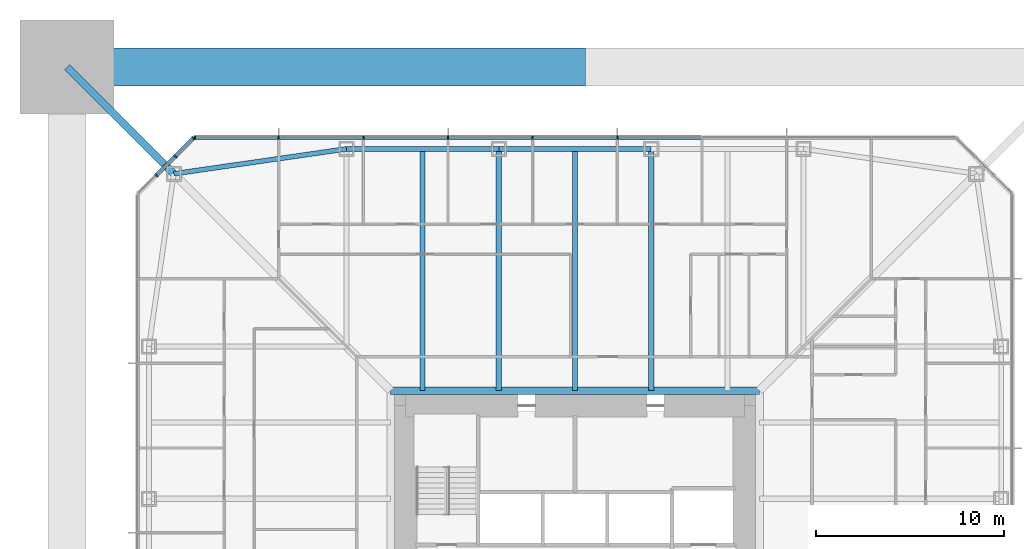
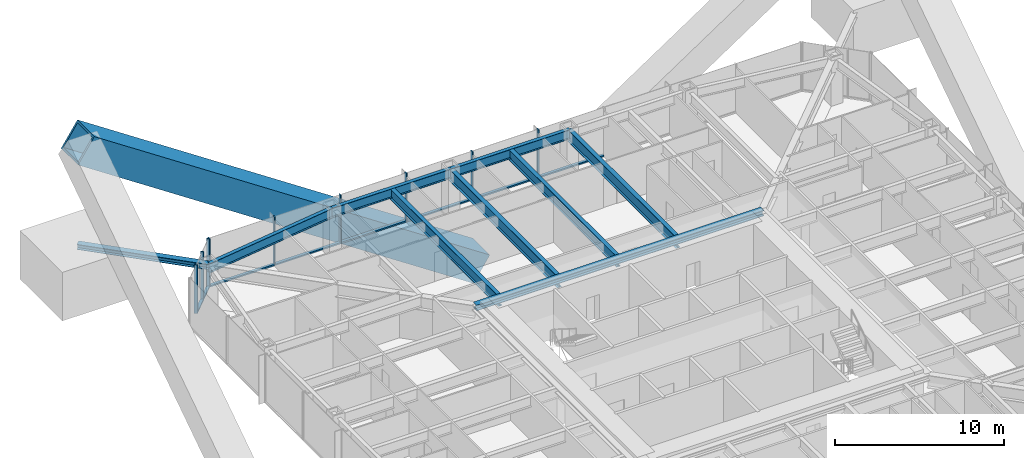
# One storey, part 7 of 27: 19 members, 8 beams, 2 elements without a shape of their own.
"""IFC4 building model written with IfcOpenShell, lengths in metres."""

from ifc_helpers import new_model, si_unit, direction, frame, origin, origin_2d, place, context, subcontext, project, spatial, rectangle, hollow_rectangle, i_section, extrude, material, material_profile, profile_set, type_object, element, aggregate, save


model = new_model("IFC4")

# Units and contexts
model_context = context("Model", 3, precision=1e-05, world=origin(), true_north=direction((0.0, 1.0)))
body_context = subcontext(model_context, "Body", "Model", "MODEL_VIEW")
ifc_project = project(units=[si_unit("LENGTHUNIT", "METRE"), si_unit("AREAUNIT", "SQUARE_METRE"), si_unit("VOLUMEUNIT", "CUBIC_METRE"), si_unit("PLANEANGLEUNIT", "RADIAN"), si_unit("MASSUNIT", "GRAM", prefix="KILO")], contexts=[model_context])

# Site, building, storey
site_placement = place(None, origin())
site = spatial("IfcSite", under=ifc_project, at=site_placement, CompositionType="ELEMENT")
building_placement = place(site_placement, origin())
building = spatial("IfcBuilding", under=site, at=building_placement, Name="Iwan Alto Co-Living Towers", CompositionType="ELEMENT")
storey_placement = place(building_placement, frame((0.0, 0.0, 25.5)))
storey = spatial("IfcBuildingStorey", under=building, at=storey_placement, Name="L06", CompositionType="ELEMENT", Elevation=25.5)

# Curtain wall, members
ifc_material_1 = material(Name="Bronze aluminium unitised frame", Category="aluminium")
curtain_wall_type_1 = type_object("IfcCurtainWallType", Name="CURTAIN WALL CW-A", PredefinedType="NOTDEFINED", material=ifc_material_1)
curtain_wall_1_placement = place(storey_placement, origin())
curtain_wall_1 = element("IfcCurtainWall", 1, at=curtain_wall_1_placement, inside=storey, type_object=curtain_wall_type_1, Name="T1 curtain wall N L06", PredefinedType="NOTDEFINED")
ifc_material_2 = material(Name="Aluminium 6063-T6 bronze anodised", Category="aluminium")
ifc_material_profile_1 = material_profile(ifc_material_2, rectangle(XDim=0.199951171875, YDim=0.080078125, at=origin_2d()), Name="AL 80X200")
ifc_profile_set_1 = profile_set([ifc_material_profile_1], Name="Aluminium 6063-T6 bronze anodised")
member_type_1 = type_object("IfcMemberType", Name="CW-A MULLION 80X200", PredefinedType="MULLION", material=ifc_profile_set_1)
member_1_placement = place(storey_placement, frame((2.25, 23.25, 0.0), z_axis=(0.0, 0.0, 1.0), x_axis=(0.0, -1.0, 0.0)))
member_1 = element("IfcMember", 2, at=member_1_placement, type_object=member_type_1, Name="CW-A mullion 5", PredefinedType="MULLION", context=body_context, shape_type="SweptSolid", body=[
    extrude(rectangle(XDim=0.199951171875, YDim=0.080078125, at=origin_2d()), origin(), (0.0, 0.0, 1.0), 3.5),
])
member_2_placement = place(storey_placement, frame((-2.25, 23.25, 0.0), z_axis=(0.0, 0.0, 1.0), x_axis=(0.0, -1.0, 0.0)))
member_2 = element("IfcMember", 3, at=member_2_placement, type_object=member_type_1, Name="CW-A mullion 6", PredefinedType="MULLION", context=body_context, shape_type="SweptSolid", body=[
    extrude(rectangle(XDim=0.199951171875, YDim=0.080078125, at=origin_2d()), origin(), (0.0, 0.0, 1.0), 3.5),
])
member_3_placement = place(storey_placement, frame((-6.75, 23.25, 0.0), z_axis=(0.0, 0.0, 1.0), x_axis=(0.0, -1.0, 0.0)))
member_3 = element("IfcMember", 4, at=member_3_placement, type_object=member_type_1, Name="CW-A mullion 7", PredefinedType="MULLION", context=body_context, shape_type="SweptSolid", body=[
    extrude(rectangle(XDim=0.199951171875, YDim=0.080078125, at=origin_2d()), origin(), (0.0, 0.0, 1.0), 3.5),
])
member_4_placement = place(storey_placement, frame((-11.25, 23.25, 0.0), z_axis=(0.0, 0.0, 1.0), x_axis=(0.0, -1.0, 0.0)))
member_4 = element("IfcMember", 5, at=member_4_placement, type_object=member_type_1, Name="CW-A mullion 8", PredefinedType="MULLION", context=body_context, shape_type="SweptSolid", body=[
    extrude(rectangle(XDim=0.199951171875, YDim=0.080078125, at=origin_2d()), origin(), (0.0, 0.0, 1.0), 3.5),
])
member_5_placement = place(storey_placement, frame((-15.75, 23.25, 0.0), z_axis=(0.0, 0.0, 1.0), x_axis=(0.0, -1.0, 0.0)))
member_5 = element("IfcMember", 6, at=member_5_placement, type_object=member_type_1, Name="CW-A mullion 9", PredefinedType="MULLION", context=body_context, shape_type="SweptSolid", body=[
    extrude(rectangle(XDim=0.199951171875, YDim=0.080078125, at=origin_2d()), origin(), (0.0, 0.0, 1.0), 3.5),
])
member_6_placement = place(storey_placement, frame((-20.2099609375, 23.25, 0.0), z_axis=(0.0, 0.0, 1.0), x_axis=(0.0, -1.0, 0.0)))
member_6 = element("IfcMember", 7, at=member_6_placement, type_object=member_type_1, Name="CW-A mullion 10", PredefinedType="MULLION", context=body_context, shape_type="SweptSolid", body=[
    extrude(rectangle(XDim=0.199951171875, YDim=0.080078125, at=origin_2d()), origin(), (0.0, 0.0, 1.0), 3.5),
])
ifc_material_3 = material(Name="Aluminium 6063-T6 bronze anodised", Category="aluminium")
ifc_material_profile_2 = material_profile(ifc_material_3, rectangle(XDim=0.199951171875, YDim=0.10009765625, at=origin_2d()), Name="AL 200X100")
ifc_profile_set_2 = profile_set([ifc_material_profile_2], Name="Aluminium 6063-T6 bronze anodised")
member_type_2 = type_object("IfcMemberType", Name="CW-A TRANSOM 200X100", PredefinedType="USERDEFINED", material=ifc_profile_set_2)
member_7_placement = place(storey_placement, frame((6.7099609375, 23.25, 0.050048828125), z_axis=(-1.0, 0.0, 0.0), x_axis=(0.0, -1.0, 0.0)))
member_7 = element("IfcMember", 8, at=member_7_placement, type_object=member_type_2, Name="CW-A transom 4.1", ObjectType="TRANSOM", PredefinedType="USERDEFINED", context=body_context, shape_type="SweptSolid", body=[
    extrude(rectangle(XDim=0.199951171875, YDim=0.10009765625, at=origin_2d()), origin(), (0.0, 0.0, 1.0), 4.419921875),
])
member_8_placement = place(storey_placement, frame((2.2099609375, 23.25, 0.050048828125), z_axis=(-1.0, 0.0, 0.0), x_axis=(0.0, -1.0, 0.0)))
member_8 = element("IfcMember", 9, at=member_8_placement, type_object=member_type_2, Name="CW-A transom 5.1", ObjectType="TRANSOM", PredefinedType="USERDEFINED", context=body_context, shape_type="SweptSolid", body=[
    extrude(rectangle(XDim=0.199951171875, YDim=0.10009765625, at=origin_2d()), origin(), (0.0, 0.0, 1.0), 4.419921875),
])
member_9_placement = place(storey_placement, frame((-2.2900390625, 23.25, 0.050048828125), z_axis=(-1.0, 0.0, 0.0), x_axis=(0.0, -1.0, 0.0)))
member_9 = element("IfcMember", 10, at=member_9_placement, type_object=member_type_2, Name="CW-A transom 6.1", ObjectType="TRANSOM", PredefinedType="USERDEFINED", context=body_context, shape_type="SweptSolid", body=[
    extrude(rectangle(XDim=0.199951171875, YDim=0.10009765625, at=origin_2d()), origin(), (0.0, 0.0, 1.0), 4.419921875),
])
member_10_placement = place(storey_placement, frame((-6.7900390625, 23.25, 0.050048828125), z_axis=(-1.0, 0.0, 0.0), x_axis=(0.0, -1.0, 0.0)))
member_10 = element("IfcMember", 11, at=member_10_placement, type_object=member_type_2, Name="CW-A transom 7.1", ObjectType="TRANSOM", PredefinedType="USERDEFINED", context=body_context, shape_type="SweptSolid", body=[
    extrude(rectangle(XDim=0.199951171875, YDim=0.10009765625, at=origin_2d()), origin(), (0.0, 0.0, 1.0), 4.419921875),
])
member_11_placement = place(storey_placement, frame((-11.2900390625, 23.25, 0.050048828125), z_axis=(-1.0, 0.0, 0.0), x_axis=(0.0, -1.0, 0.0)))
member_11 = element("IfcMember", 12, at=member_11_placement, type_object=member_type_2, Name="CW-A transom 8.1", ObjectType="TRANSOM", PredefinedType="USERDEFINED", context=body_context, shape_type="SweptSolid", body=[
    extrude(rectangle(XDim=0.199951171875, YDim=0.10009765625, at=origin_2d()), origin(), (0.0, 0.0, 1.0), 4.419921875),
])
member_12_placement = place(storey_placement, frame((-15.7900390625, 23.25, 0.050048828125), z_axis=(-1.0, 0.0, 0.0), x_axis=(0.0, -1.0, 0.0)))
member_12 = element("IfcMember", 13, at=member_12_placement, type_object=member_type_2, Name="CW-A transom 9.1", ObjectType="TRANSOM", PredefinedType="USERDEFINED", context=body_context, shape_type="SweptSolid", body=[
    extrude(rectangle(XDim=0.199951171875, YDim=0.10009765625, at=origin_2d()), origin(), (0.0, 0.0, 1.0), 4.3798828125),
])
aggregate(curtain_wall_1, [member_1, member_2, member_3, member_4, member_5, member_6, member_7, member_8, member_9, member_10, member_11, member_12])

ifc_material_4 = material(Name="Bronze aluminium unitised frame", Category="aluminium")
curtain_wall_type_2 = type_object("IfcCurtainWallType", Name="CURTAIN WALL CW-B", PredefinedType="NOTDEFINED", material=ifc_material_4)
curtain_wall_2_placement = place(storey_placement, origin())
curtain_wall_2 = element("IfcCurtainWall", 14, at=curtain_wall_2_placement, inside=storey, type_object=curtain_wall_type_2, Name="T1 chamfer curtain wall NW L06", PredefinedType="NOTDEFINED")
ifc_material_5 = material(Name="Aluminium 6063-T6 bronze anodised", Category="aluminium")
ifc_material_profile_3 = material_profile(ifc_material_5, rectangle(XDim=0.199951171875, YDim=0.080078125, at=origin_2d()), Name="AL 80X200")
ifc_profile_set_3 = profile_set([ifc_material_profile_3], Name="Aluminium 6063-T6 bronze anodised")
member_type_3 = type_object("IfcMemberType", Name="CW-B MULLION 80X200", PredefinedType="MULLION", material=ifc_profile_set_3)
member_13_placement = place(storey_placement, frame((-20.2783203125, 23.2216796875, 0.0), z_axis=(0.0, 0.0, 1.0), x_axis=(0.707106781187, -0.707106781187, 0.0)))
member_13 = element("IfcMember", 15, at=member_13_placement, type_object=member_type_3, Name="CW-B mullion 1", PredefinedType="MULLION", context=body_context, shape_type="SweptSolid", body=[
    extrude(rectangle(XDim=0.199951171875, YDim=0.080078125, at=origin_2d()), origin(), (0.0, 0.0, 1.0), 3.5),
])
member_14_placement = place(storey_placement, frame((-21.25, 22.25, 0.0), z_axis=(0.0, 0.0, 1.0), x_axis=(0.707106781187, -0.707106781187, 0.0)))
member_14 = element("IfcMember", 16, at=member_14_placement, type_object=member_type_3, Name="CW-B mullion 2", PredefinedType="MULLION", context=body_context, shape_type="SweptSolid", body=[
    extrude(rectangle(XDim=0.199951171875, YDim=0.080078125, at=origin_2d()), origin(), (0.0, 0.0, 1.0), 3.5),
])
member_15_placement = place(storey_placement, frame((-22.25, 21.25, 0.0), z_axis=(0.0, 0.0, 1.0), x_axis=(0.707106781187, -0.707106781187, 0.0)))
member_15 = element("IfcMember", 17, at=member_15_placement, type_object=member_type_3, Name="CW-B mullion 3", PredefinedType="MULLION", context=body_context, shape_type="SweptSolid", body=[
    extrude(rectangle(XDim=0.199951171875, YDim=0.080078125, at=origin_2d()), origin(), (0.0, 0.0, 1.0), 3.5),
])
ifc_material_6 = material(Name="Aluminium 6063-T6 bronze anodised", Category="aluminium")
ifc_material_profile_4 = material_profile(ifc_material_6, rectangle(XDim=0.199951171875, YDim=0.10009765625, at=origin_2d()), Name="AL 200X100")
ifc_profile_set_4 = profile_set([ifc_material_profile_4], Name="Aluminium 6063-T6 bronze anodised")
member_type_4 = type_object("IfcMemberType", Name="CW-B TRANSOM 200X100", PredefinedType="USERDEFINED", material=ifc_profile_set_4)
member_16_placement = place(storey_placement, frame((-20.306640625, 23.193359375, 0.050048828125), z_axis=(-0.707106781187, -0.707106781187, 0.0), x_axis=(0.707106781187, -0.707106781187, 0.0)))
member_16 = element("IfcMember", 18, at=member_16_placement, type_object=member_type_4, Name="CW-B transom 1.1", ObjectType="TRANSOM", PredefinedType="USERDEFINED", context=body_context, shape_type="SweptSolid", body=[
    extrude(rectangle(XDim=0.199951171875, YDim=0.10009765625, at=origin_2d()), origin(), (0.0, 0.0, 1.0), 1.2939453125),
])
member_17_placement = place(storey_placement, frame((-21.2783203125, 22.2216796875, 0.050048828125), z_axis=(-0.707106781187, -0.707106781187, 0.0), x_axis=(0.707106781187, -0.707106781187, 0.0)))
member_17 = element("IfcMember", 19, at=member_17_placement, type_object=member_type_4, Name="CW-B transom 2.1", ObjectType="TRANSOM", PredefinedType="USERDEFINED", context=body_context, shape_type="SweptSolid", body=[
    extrude(rectangle(XDim=0.199951171875, YDim=0.10009765625, at=origin_2d()), origin(), (0.0, 0.0, 1.0), 1.334228515625),
])
aggregate(curtain_wall_2, [member_13, member_14, member_15, member_16, member_17])

# Beams
ifc_material_7 = material(Name="Steel ASTM A992 Gr 50", Category="steel")
ifc_material_profile_5 = material_profile(ifc_material_7, i_section(OverallWidth=0.40380859375, OverallDepth=0.406494140625, WebThickness=0.027099609375, FlangeThickness=0.043701171875, at=origin_2d()), Name="W14X233")
ifc_profile_set_5 = profile_set([ifc_material_profile_5], Name="Steel ASTM A992 Gr 50")
beam_type_1 = type_object("IfcBeamType", Name="T1 CORE LEDGER BEAM W14X233", PredefinedType="BEAM", material=ifc_profile_set_5)
beam_1_placement = place(storey_placement, frame((9.802001953125, 9.802001953125, 3.06689453125), z_axis=(-1.0, 0.0, 0.0), x_axis=(0.0, -1.0, 0.0)))
element("IfcBeam", 20, at=beam_1_placement, inside=storey, type_object=beam_type_1, Name="T1 core ledger beam N L07", PredefinedType="BEAM", context=body_context, shape_type="SweptSolid", body=[
    extrude(i_section(OverallWidth=0.40380859375, OverallDepth=0.406494140625, WebThickness=0.027099609375, FlangeThickness=0.043701171875, at=origin_2d()), origin(), (0.0, 0.0, 1.0), 19.60400390625),
])
ifc_material_8 = material(Name="Steel ASTM A992 Gr 50", Category="steel")
ifc_material_profile_6 = material_profile(ifc_material_8, i_section(OverallWidth=0.25390625, OverallDepth=0.683349609375, WebThickness=0.012451171875, FlangeThickness=0.018798828125, at=origin_2d()), Name="W27X94")
ifc_profile_set_6 = profile_set([ifc_material_profile_6], Name="Steel ASTM A992 Gr 50")
beam_type_2 = type_object("IfcBeamType", Name="T1 EDGE BEAM W27X94", PredefinedType="BEAM", material=ifc_profile_set_6)
beam_2_placement = place(storey_placement, frame((4.050048828125, 22.64990234375, 2.928466796875), z_axis=(-1.0, 0.0, 0.0), x_axis=(0.0, -1.0, 0.0)))
element("IfcBeam", 21, at=beam_2_placement, inside=storey, type_object=beam_type_2, Name="T1 edge beam N2 L07", PredefinedType="BEAM", context=body_context, shape_type="SweptSolid", body=[
    extrude(i_section(OverallWidth=0.25390625, OverallDepth=0.683349609375, WebThickness=0.012451171875, FlangeThickness=0.018798828125, at=origin_2d()), origin(), (0.0, 0.0, 1.0), 8.10009765625),
])
beam_3_placement = place(storey_placement, frame((-4.050048828125, 22.64990234375, 2.928466796875), z_axis=(-1.0, 0.0, 0.0), x_axis=(0.0, -1.0, 0.0)))
element("IfcBeam", 22, at=beam_3_placement, inside=storey, type_object=beam_type_2, Name="T1 edge beam N3 L07", PredefinedType="BEAM", context=body_context, shape_type="SweptSolid", body=[
    extrude(i_section(OverallWidth=0.25390625, OverallDepth=0.683349609375, WebThickness=0.012451171875, FlangeThickness=0.018798828125, at=origin_2d()), origin(), (0.0, 0.0, 1.0), 8.099853515625),
])
beam_4_placement = place(storey_placement, frame((-12.14990234375, 22.64990234375, 2.928466796875), z_axis=(-0.989746234347, -0.142836940589, 0.0), x_axis=(0.142836940589, -0.989746234347, 0.0)))
element("IfcBeam", 23, at=beam_4_placement, inside=storey, type_object=beam_type_2, Name="T1 edge beam N4 L07", PredefinedType="BEAM", context=body_context, shape_type="SweptSolid", body=[
    extrude(i_section(OverallWidth=0.25390625, OverallDepth=0.683349609375, WebThickness=0.012451171875, FlangeThickness=0.018798828125, at=origin_2d()), origin(), (0.0, 0.0, 1.0), 9.270751953125),
])

# Members
ifc_material_9 = material(Name="Steel ASTM A572 Gr 42", Category="steel")
ifc_material_profile_7 = material_profile(ifc_material_9, hollow_rectangle(XDim=2.0, YDim=2.0, WallThickness=0.139892578125, at=origin_2d()), Name="BOX 2000X2000X140")
ifc_profile_set_7 = profile_set([ifc_material_profile_7], Name="Steel ASTM A572 Gr 42")
member_type_5 = type_object("IfcMemberType", Name="T1 MEGA BRACE BOX 2000X2000X140", PredefinedType="BRACE", material=ifc_profile_set_7)
member_18_placement = place(storey_placement, frame((0.0, 27.0, -7.5), z_axis=(-0.832050294338, 0.0, 0.554700196225), x_axis=(0.0, -1.0, 0.0)))
element("IfcMember", 24, at=member_18_placement, inside=storey, type_object=member_type_5, Name="T1 mega brace Z1A N 1 upper", PredefinedType="BRACE", context=body_context, shape_type="SweptSolid", body=[
    extrude(hollow_rectangle(XDim=2.0, YDim=2.0, WallThickness=0.139892578125, at=origin_2d()), origin(), (0.0, 0.0, 1.0), 32.449951171875),
])
ifc_material_10 = material(Name="Steel ASTM A992 Gr 50", Category="steel")
ifc_material_profile_8 = material_profile(ifc_material_10, i_section(OverallWidth=0.393798828125, OverallDepth=0.3759765625, WebThickness=0.017333984375, FlangeThickness=0.027587890625, at=origin_2d()), Name="W14X145")
ifc_profile_set_8 = profile_set([ifc_material_profile_8], Name="Steel ASTM A992 Gr 50")
member_type_6 = type_object("IfcMemberType", Name="T1 MEGA COLUMN FLOOR TIE W14X145", PredefinedType="STRUT", material=ifc_profile_set_8)
member_19_placement = place(storey_placement, frame((-27.0, 27.0, 3.08203125), z_axis=(0.707106781187, -0.707106781187, 0.0), x_axis=(0.707106781187, 0.707106781187, 0.0)))
element("IfcMember", 25, at=member_19_placement, inside=storey, type_object=member_type_6, Name="T1 mega column floor tie NW L07", PredefinedType="STRUT", context=body_context, shape_type="SweptSolid", body=[
    extrude(i_section(OverallWidth=0.393798828125, OverallDepth=0.3759765625, WebThickness=0.017333984375, FlangeThickness=0.027587890625, at=origin_2d()), origin(), (0.0, 0.0, 1.0), 8.024658203125),
])

# Beams
ifc_material_11 = material(Name="Steel ASTM A992 Gr 50", Category="steel")
ifc_material_profile_9 = material_profile(ifc_material_11, i_section(OverallWidth=0.2919921875, OverallDepth=0.8408203125, WebThickness=0.0146484375, FlangeThickness=0.021728515625, at=origin_2d()), Name="W33X130")
ifc_profile_set_9 = profile_set([ifc_material_profile_9], Name="Steel ASTM A992 Gr 50")
beam_type_3 = type_object("IfcBeamType", Name="T1 RADIAL BEAM W33X130", PredefinedType="BEAM", material=ifc_profile_set_9)
for number, where, z_axis, x_axis, name in (
    (26, (4.050048828125, 22.64990234375, 2.849609375), (0.0, -1.0, 0.0), (1.0, 0.0, 0.0), "T1 radial beam N2 L07"),
    (27, (-4.050048828125, 22.64990234375, 2.849609375), (0.0, -1.0, 0.0), (1.0, 0.0, 0.0), "T1 radial beam N3 L07"),
):
    element("IfcBeam", number, at=place(storey_placement, frame(where, z_axis=z_axis, x_axis=x_axis)), inside=storey, type_object=beam_type_3, Name=name, PredefinedType="BEAM", context=body_context, shape_type="SweptSolid", body=[
        extrude(i_section(OverallWidth=0.2919921875, OverallDepth=0.8408203125, WebThickness=0.0146484375, FlangeThickness=0.021728515625, at=origin_2d()), origin(), (0.0, 0.0, 1.0), 12.847900390625),
    ])
ifc_material_12 = material(Name="Steel ASTM A992 Gr 50", Category="steel")
ifc_material_profile_10 = material_profile(ifc_material_12, i_section(OverallWidth=0.2666015625, OverallDepth=0.761962890625, WebThickness=0.014404296875, FlangeThickness=0.021484375, at=origin_2d()), Name="W30X116")
ifc_profile_set_10 = profile_set([ifc_material_profile_10], Name="Steel ASTM A992 Gr 50")
beam_type_4 = type_object("IfcBeamType", Name="T1 SECONDARY BEAM W30X116", PredefinedType="JOIST", material=ifc_profile_set_10)
for number, where, z_axis, x_axis, name in (
    (28, (0.0, 22.64990234375, 2.888916015625), (0.0, -1.0, 0.0), (1.0, 0.0, 0.0), "T1 secondary beam N2 L07"),
    (29, (-8.10009765625, 22.64990234375, 2.888916015625), (0.0, -1.0, 0.0), (1.0, 0.0, 0.0), "T1 secondary beam N3 L07"),
):
    element("IfcBeam", number, at=place(storey_placement, frame(where, z_axis=z_axis, x_axis=x_axis)), inside=storey, type_object=beam_type_4, Name=name, PredefinedType="JOIST", context=body_context, shape_type="SweptSolid", body=[
        extrude(i_section(OverallWidth=0.2666015625, OverallDepth=0.761962890625, WebThickness=0.014404296875, FlangeThickness=0.021484375, at=origin_2d()), origin(), (0.0, 0.0, 1.0), 12.847900390625),
    ])

save(model, "model.ifc")
